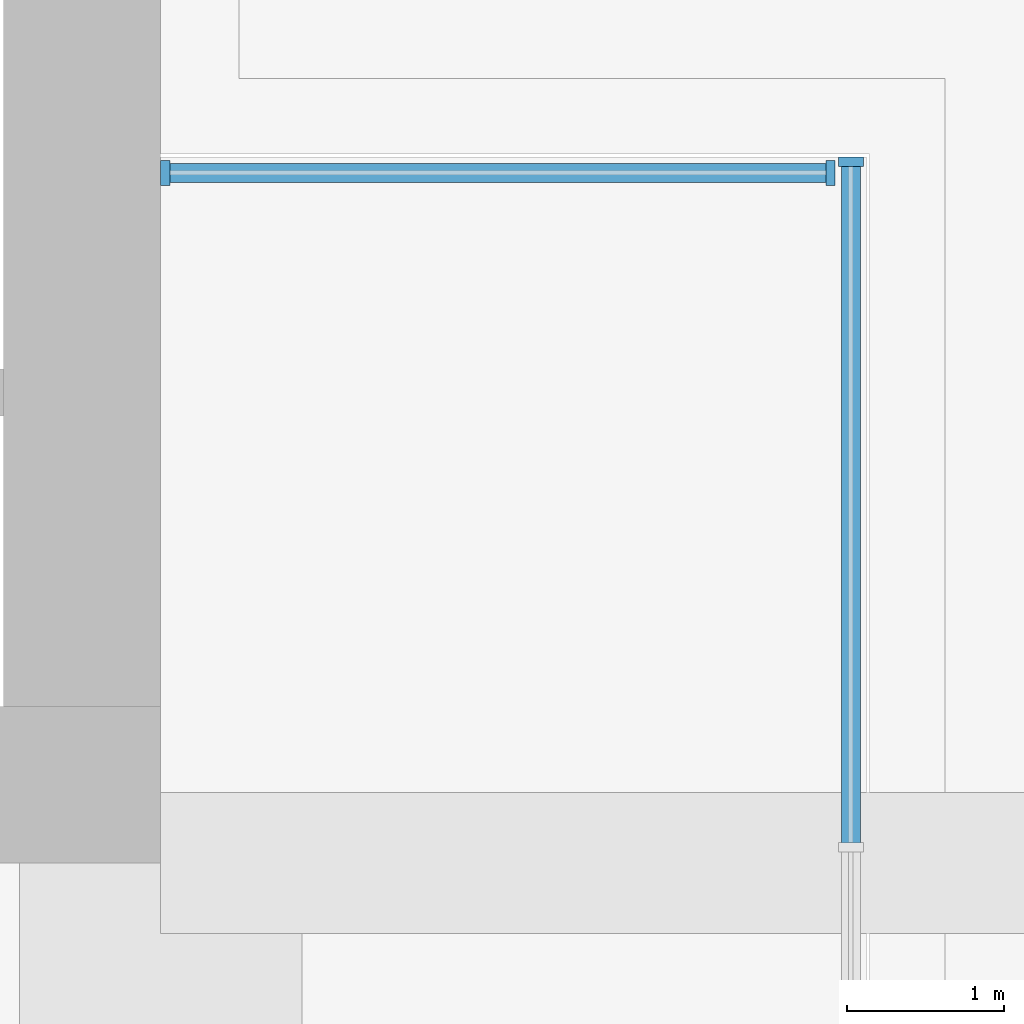
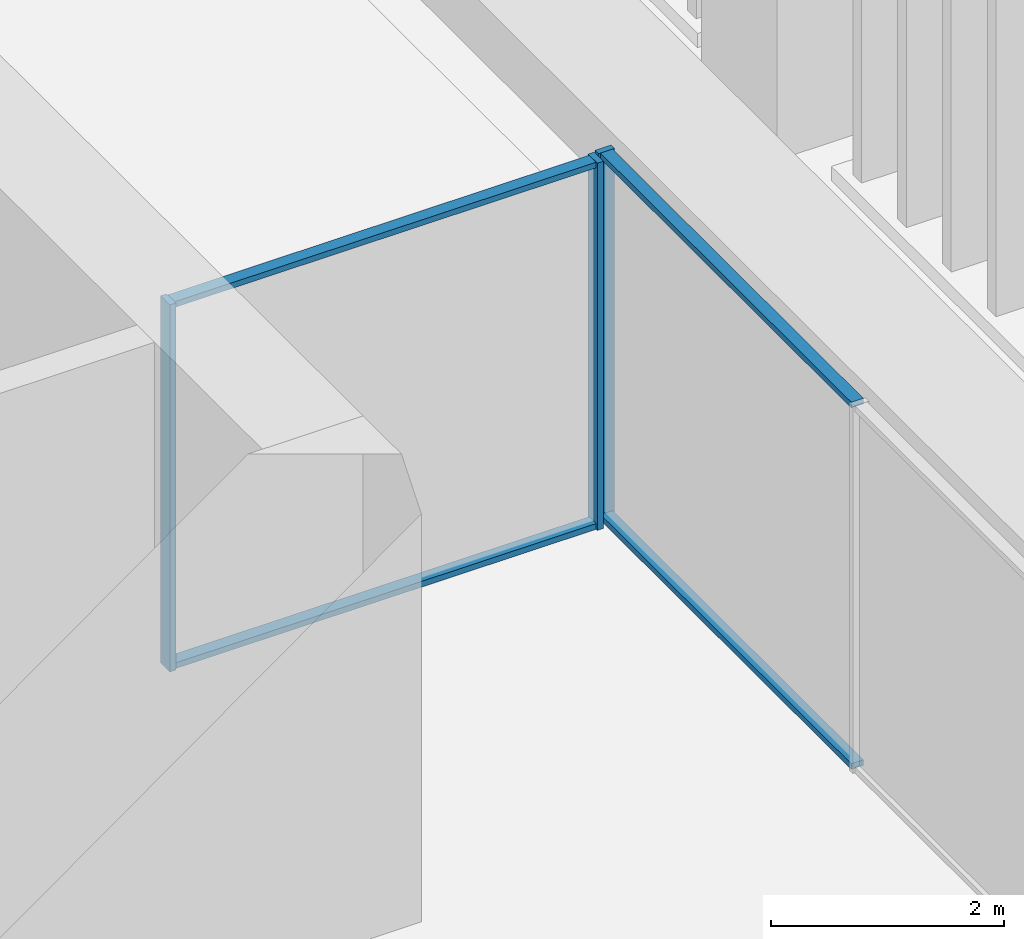
# One storey, part 4 of 9: 7 members, 2 elements without a shape of their own.
"""IFC4 building model written with IfcOpenShell, lengths in metres."""

from ifc_helpers import new_model, si_unit, direction, frame, origin, origin_2d, place, context, subcontext, project, spatial, rectangle, extrude, material, layer, layer_set, material_profile, profile_set, type_object, element, aggregate, save


model = new_model("IFC4")

# Units and contexts
model_context = context("Model", 3, precision=1e-05, world=origin(), true_north=direction((0.0, 1.0)))
body_context = subcontext(model_context, "Body", "Model", "MODEL_VIEW")
ifc_project = project(units=[si_unit("LENGTHUNIT", "METRE"), si_unit("AREAUNIT", "SQUARE_METRE"), si_unit("VOLUMEUNIT", "CUBIC_METRE"), si_unit("PLANEANGLEUNIT", "RADIAN"), si_unit("MASSUNIT", "GRAM", prefix="KILO")], contexts=[model_context])

# Site, building, storey
site_placement = place(None, origin())
site = spatial("IfcSite", under=ifc_project, at=site_placement, CompositionType="ELEMENT")
building_placement = place(site_placement, origin())
building = spatial("IfcBuilding", under=site, at=building_placement, Name="Namib Vertical Campus", CompositionType="ELEMENT")
storey_placement = place(building_placement, frame((0.0, 0.0, 297.0)))
storey = spatial("IfcBuildingStorey", under=building, at=storey_placement, Name="L70", CompositionType="ELEMENT", Elevation=297.0)

# Curtain wall, member
ifc_material_1 = material(Name="Black aluminium curtain wall", Category="aluminium")
ifc_layer = layer(ifc_material_1, 0.199951171875)
ifc_layer_set = layer_set([ifc_layer], Name="Pavilion curtain wall CW-PV")
curtain_wall_type = type_object("IfcCurtainWallType", Name="Pavilion curtain wall CW-PV", PredefinedType="USERDEFINED", material=ifc_layer_set)
curtain_wall_1_placement = place(storey_placement, origin())
curtain_wall_1 = element("IfcCurtainWall", 1, at=curtain_wall_1_placement, inside=storey, type_object=curtain_wall_type, Name="Curtain wall CW-PV L70 1", ObjectType="CURTAIN WALL", PredefinedType="USERDEFINED")
ifc_material_2 = material(Name="Black anodised aluminium", Category="aluminium")
ifc_material_profile_1 = material_profile(ifc_material_2, rectangle(XDim=0.06005859375, YDim=0.159912109375, at=origin_2d()))
ifc_profile_set_1 = profile_set([ifc_material_profile_1], Name="Black anodised aluminium")
member_type_1 = type_object("IfcMemberType", Name="Curtain wall mullion 60x160", PredefinedType="MULLION", material=ifc_profile_set_1)
member_1_placement = place(storey_placement, frame((31.39990234375, 15.719970703125, 0.0), z_axis=(0.0, 0.0, 1.0), x_axis=(0.0, 1.0, 0.0)))
member_1 = element("IfcMember", 2, at=member_1_placement, type_object=member_type_1, Name="CW-PV mullion 3", PredefinedType="MULLION", context=body_context, shape_type="SweptSolid", body=[
    extrude(rectangle(XDim=0.06005859375, YDim=0.159912109375, at=origin_2d()), origin(), (0.0, 0.0, 1.0), 3.85009765625),
])

# Curtain wall, members
curtain_wall_2_placement = place(storey_placement, origin())
curtain_wall_2 = element("IfcCurtainWall", 3, at=curtain_wall_2_placement, inside=storey, type_object=curtain_wall_type, Name="Curtain wall CW-PV L70 2", ObjectType="CURTAIN WALL", PredefinedType="USERDEFINED")
member_2_placement = place(storey_placement, frame((31.27001953125, 15.64990234375, 0.0), z_axis=(0.0, 0.0, 1.0), x_axis=(-1.0, 0.0, 0.0)))
member_2 = element("IfcMember", 4, at=member_2_placement, type_object=member_type_1, Name="CW-PV mullion 1", PredefinedType="MULLION", context=body_context, shape_type="SweptSolid", body=[
    extrude(rectangle(XDim=0.06005859375, YDim=0.159912109375, at=origin_2d()), origin(), (0.0, 0.0, 1.0), 3.85009765625),
])
member_3_placement = place(storey_placement, frame((27.030029296875, 15.64990234375, 0.0), z_axis=(0.0, 0.0, 1.0), x_axis=(-1.0, 0.0, 0.0)))
member_3 = element("IfcMember", 5, at=member_3_placement, type_object=member_type_1, Name="CW-PV mullion 2", PredefinedType="MULLION", context=body_context, shape_type="SweptSolid", body=[
    extrude(rectangle(XDim=0.06005859375, YDim=0.159912109375, at=origin_2d()), origin(), (0.0, 0.0, 1.0), 3.85009765625),
])

# Member
ifc_material_3 = material(Name="Black anodised aluminium", Category="aluminium")
ifc_material_profile_2 = material_profile(ifc_material_3, rectangle(XDim=0.06005859375, YDim=0.1201171875, at=origin_2d()))
ifc_profile_set_2 = profile_set([ifc_material_profile_2], Name="Black anodised aluminium")
member_type_2 = type_object("IfcMemberType", Name="Curtain wall transom 60x120", PredefinedType="USERDEFINED", material=ifc_profile_set_2)
member_4_placement = place(storey_placement, frame((31.39990234375, 11.3798828125, 0.030029296875), z_axis=(0.0, 1.0, 0.0), x_axis=(0.0, 0.0, 1.0)))
member_4 = element("IfcMember", 6, at=member_4_placement, type_object=member_type_2, Name="CW-PV transom 2.1", ObjectType="TRANSOM", PredefinedType="USERDEFINED", context=body_context, shape_type="SweptSolid", body=[
    extrude(rectangle(XDim=0.06005859375, YDim=0.1201171875, at=origin_2d()), origin(), (0.0, 0.0, 1.0), 4.31005859375),
])

member_5_placement = place(storey_placement, frame((31.39990234375, 11.3798828125, 3.820068359375), z_axis=(0.0, 1.0, 0.0), x_axis=(0.0, 0.0, 1.0)))
member_5 = element("IfcMember", 7, at=member_5_placement, type_object=member_type_2, Name="CW-PV transom 2.2", ObjectType="TRANSOM", PredefinedType="USERDEFINED", context=body_context, shape_type="SweptSolid", body=[
    extrude(rectangle(XDim=0.06005859375, YDim=0.1201171875, at=origin_2d()), origin(), (0.0, 0.0, 1.0), 4.31005859375),
])

aggregate(curtain_wall_1, [member_1, member_4, member_5])

member_6_placement = place(storey_placement, frame((31.239990234375, 15.64990234375, 0.030029296875), z_axis=(-1.0, 0.0, 0.0), x_axis=(0.0, 0.0, 1.0)))
member_6 = element("IfcMember", 8, at=member_6_placement, type_object=member_type_2, Name="CW-PV transom 1.1", ObjectType="TRANSOM", PredefinedType="USERDEFINED", context=body_context, shape_type="SweptSolid", body=[
    extrude(rectangle(XDim=0.06005859375, YDim=0.1201171875, at=origin_2d()), origin(), (0.0, 0.0, 1.0), 4.179931640625),
])

member_7_placement = place(storey_placement, frame((31.239990234375, 15.64990234375, 3.820068359375), z_axis=(-1.0, 0.0, 0.0), x_axis=(0.0, 0.0, 1.0)))
member_7 = element("IfcMember", 9, at=member_7_placement, type_object=member_type_2, Name="CW-PV transom 1.2", ObjectType="TRANSOM", PredefinedType="USERDEFINED", context=body_context, shape_type="SweptSolid", body=[
    extrude(rectangle(XDim=0.06005859375, YDim=0.1201171875, at=origin_2d()), origin(), (0.0, 0.0, 1.0), 4.179931640625),
])

aggregate(curtain_wall_2, [member_2, member_3, member_6, member_7])

save(model, "model.ifc")
